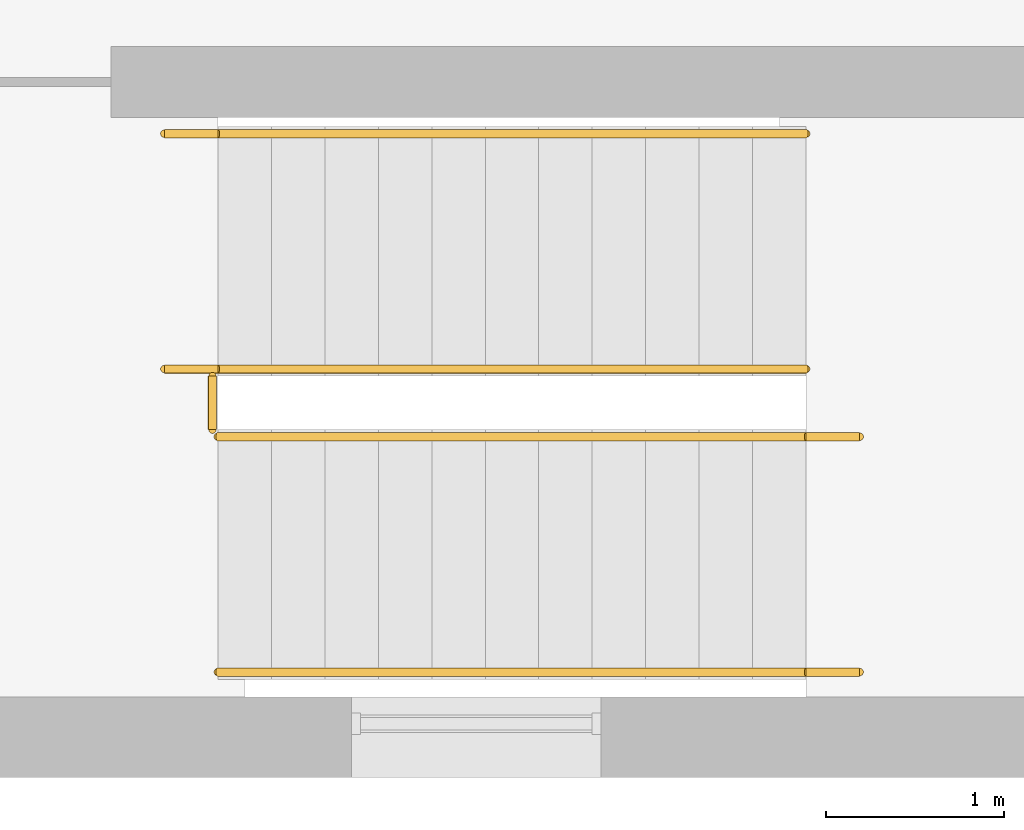
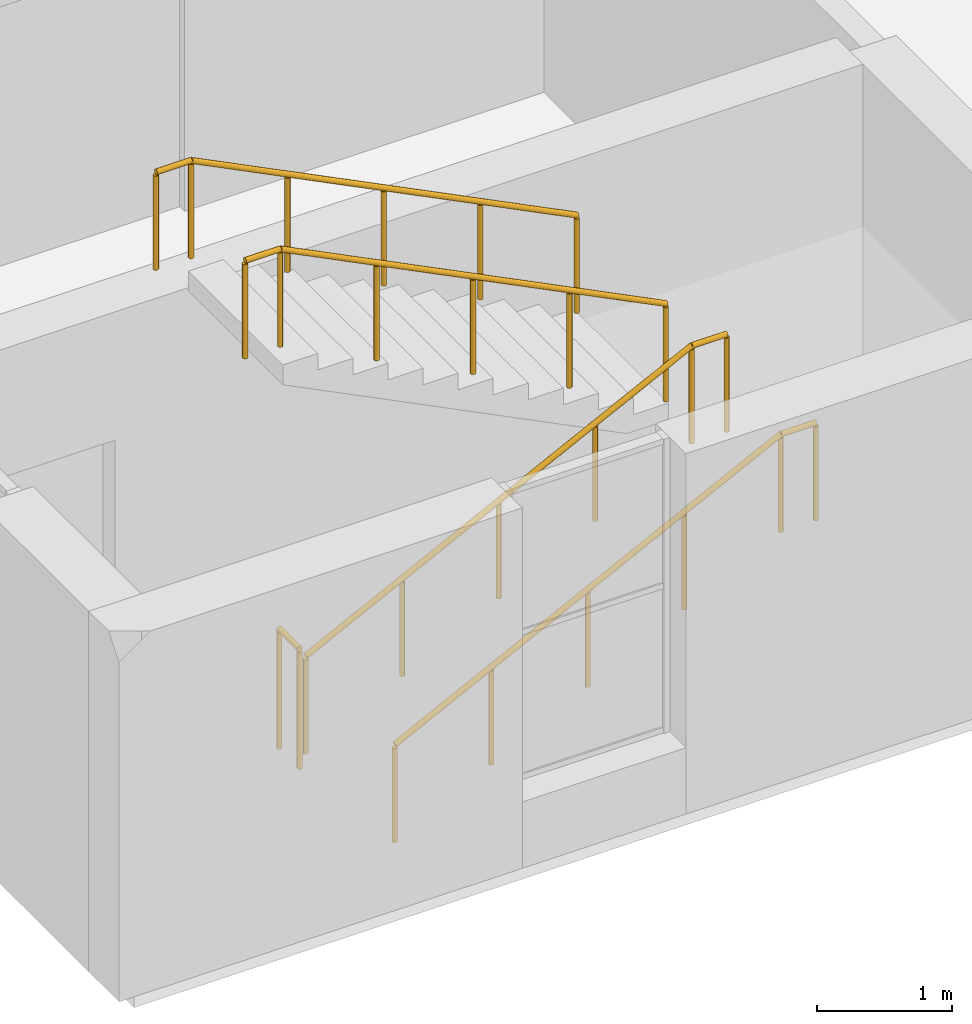
# One storey, part 43 of 45: 5 railings.
"""IFC4 building model written with IfcOpenShell, lengths in metres."""

from ifc_helpers import new_model, si_unit, direction, frame, origin, origin_2d, place, context, subcontext, project, spatial, circle, extrude, material, type_object, element, save


model = new_model("IFC4")

# Units and contexts
model_context = context("Model", 3, precision=1e-05, world=origin(), true_north=direction((0.0, 1.0)))
body_context = subcontext(model_context, "Body", "Model", "MODEL_VIEW")
ifc_project = project(units=[si_unit("LENGTHUNIT", "METRE"), si_unit("AREAUNIT", "SQUARE_METRE"), si_unit("VOLUMEUNIT", "CUBIC_METRE"), si_unit("PLANEANGLEUNIT", "RADIAN"), si_unit("MASSUNIT", "GRAM", prefix="KILO")], contexts=[model_context])

# Site, building, storey
site_placement = place(None, origin())
site = spatial("IfcSite", under=ifc_project, at=site_placement, CompositionType="ELEMENT")
building_placement = place(site_placement, origin())
building = spatial("IfcBuilding", under=site, at=building_placement, Name="Yavir Park General Hospital", CompositionType="ELEMENT")
storey_placement = place(building_placement, frame((0.0, 0.0, 22.5)))
storey = spatial("IfcBuildingStorey", under=building, at=storey_placement, Name="L05", CompositionType="ELEMENT", Elevation=22.5)

# Railings
ifc_material_1 = material(Name="Steel balustrade with infill rods", Category="steel")
railing_type_1 = type_object("IfcRailingType", Name="Stair guard, steel balustrade 1100 mm", PredefinedType="GUARDRAIL", material=ifc_material_1)
railing_placement = place(storey_placement, frame((103.169921875, 1.64990234375, 0.0)))
element("IfcRailing", 1, at=railing_placement, inside=storey, type_object=railing_type_1, Name="Stair well guard SU4 L05", PredefinedType="GUARDRAIL", context=body_context, shape_type="SweptSolid", body=[
    extrude(circle(Radius=0.02392578125, at=origin_2d()), frame((0.0, 0.0, 1.076171875), z_axis=(0.0, 1.0, 0.0), x_axis=(-1.0, 0.0, 0.0)), (0.0, 0.0, 1.0), 0.300048828125),
    extrude(circle(Radius=0.02099609375, at=origin_2d()), origin(), (0.0, 0.0, 1.0), 1.052001953125),
    extrude(circle(Radius=0.02099609375, at=origin_2d()), frame((0.0, 0.300048828125, 0.0)), (0.0, 0.0, 1.0), 1.052001953125),
])
ifc_material_2 = material(Name="Stainless steel tube 48 mm", Category="steel")
railing_type_2 = type_object("IfcRailingType", Name="Stair handrail, steel tube, 900 mm above the nosings", PredefinedType="HANDRAIL", material=ifc_material_2)
for number, where, name in (
    (2, (103.199951171875, 0.2900390625, 0.14990234375), "Handrail SU4 L05 1"),
    (3, (103.199951171875, 1.610107421875, 0.14990234375), "Handrail SU4 L05 2"),
):
    element("IfcRailing", number, at=place(storey_placement, frame(where)), inside=storey, type_object=railing_type_2, Name=name, PredefinedType="HANDRAIL", context=body_context, shape_type="SweptSolid", body=[
        extrude(circle(Radius=0.02392578125, at=origin_2d()), frame((0.0, 0.0, 0.8759765625), z_axis=(0.894413956696, 0.0, 0.447240063129), x_axis=(0.0, 1.0, 0.0)), (0.0, 0.0, 1.0), 3.689697265625),
        extrude(circle(Radius=0.02392578125, at=origin_2d()), frame((3.300048828125, 0.0, 2.52587890625), z_axis=(1.0, 0.0, 0.0), x_axis=(0.0, 1.0, 0.0)), (0.0, 0.0, 1.0), 0.300048828125),
        extrude(circle(Radius=0.02099609375, at=origin_2d()), origin(), (0.0, 0.0, 1.0), 0.851806640625),
        extrude(circle(Radius=0.02099609375, at=origin_2d()), frame((0.824951171875, 0.0, 0.41259765625)), (0.0, 0.0, 1.0), 0.851806640625),
        extrude(circle(Radius=0.02099609375, at=origin_2d()), frame((1.64990234375, 0.0, 0.8251953125)), (0.0, 0.0, 1.0), 0.851806640625),
        extrude(circle(Radius=0.02099609375, at=origin_2d()), frame((2.47509765625, 0.0, 1.237548828125)), (0.0, 0.0, 1.0), 0.851806640625),
        extrude(circle(Radius=0.02099609375, at=origin_2d()), frame((3.300048828125, 0.0, 1.650146484375)), (0.0, 0.0, 1.0), 0.851806640625),
        extrude(circle(Radius=0.02099609375, at=origin_2d()), frame((3.60009765625, 0.0, 1.650146484375)), (0.0, 0.0, 1.0), 0.851806640625),
    ])
for number, where, name in (
    (4, (106.5, 3.31005859375, 1.949951171875), "Handrail SU4 L05 3"),
    (5, (106.5, 1.989990234375, 1.949951171875), "Handrail SU4 L05 4"),
):
    element("IfcRailing", number, at=place(storey_placement, frame(where)), inside=storey, type_object=railing_type_2, Name=name, PredefinedType="HANDRAIL", context=body_context, shape_type="SweptSolid", body=[
        extrude(circle(Radius=0.02392578125, at=origin_2d()), frame((0.0, 0.0, 0.8759765625), z_axis=(-0.894413956696, 0.0, 0.447240063129), x_axis=(0.0, -1.0, 0.0)), (0.0, 0.0, 1.0), 3.689697265625),
        extrude(circle(Radius=0.02392578125, at=origin_2d()), frame((-3.300048828125, 0.0, 2.52587890625), z_axis=(-1.0, 0.0, 0.0), x_axis=(0.0, -1.0, 0.0)), (0.0, 0.0, 1.0), 0.300048828125),
        extrude(circle(Radius=0.02099609375, at=origin_2d()), origin(), (0.0, 0.0, 1.0), 0.851806640625),
        extrude(circle(Radius=0.02099609375, at=origin_2d()), frame((-0.824951171875, 0.0, 0.41259765625)), (0.0, 0.0, 1.0), 0.851806640625),
        extrude(circle(Radius=0.02099609375, at=origin_2d()), frame((-1.64990234375, 0.0, 0.8251953125)), (0.0, 0.0, 1.0), 0.851806640625),
        extrude(circle(Radius=0.02099609375, at=origin_2d()), frame((-2.47509765625, 0.0, 1.237548828125)), (0.0, 0.0, 1.0), 0.851806640625),
        extrude(circle(Radius=0.02099609375, at=origin_2d()), frame((-3.300048828125, 0.0, 1.650146484375)), (0.0, 0.0, 1.0), 0.851806640625),
        extrude(circle(Radius=0.02099609375, at=origin_2d()), frame((-3.60009765625, 0.0, 1.650146484375)), (0.0, 0.0, 1.0), 0.851806640625),
    ])

save(model, "model.ifc")
